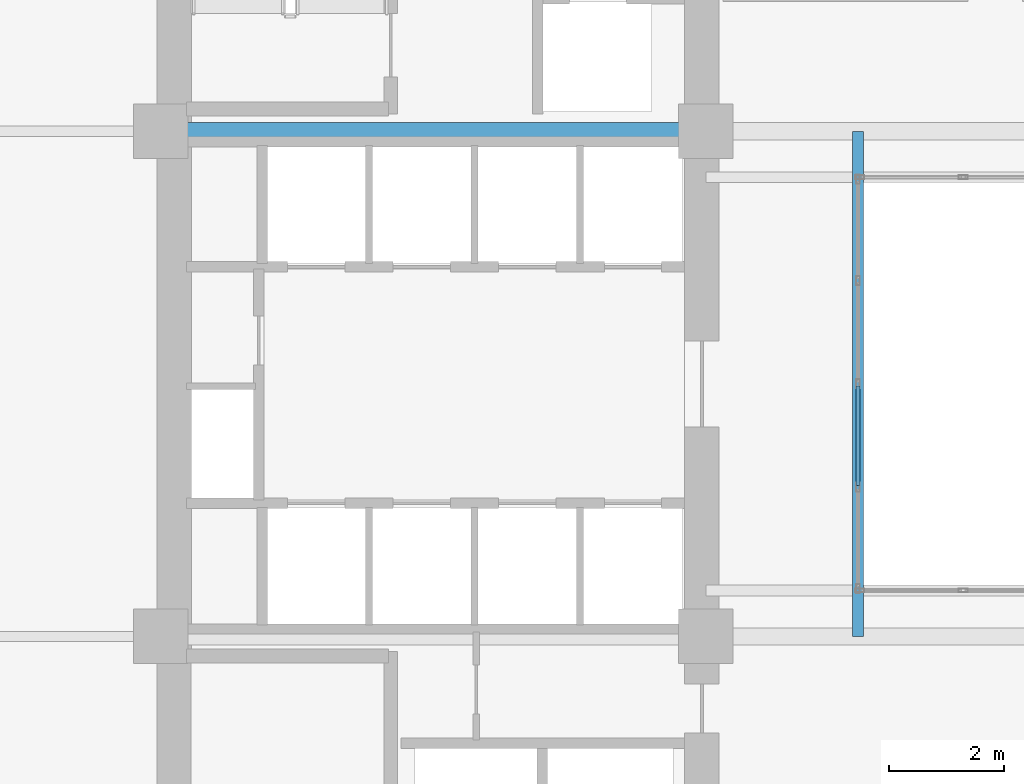
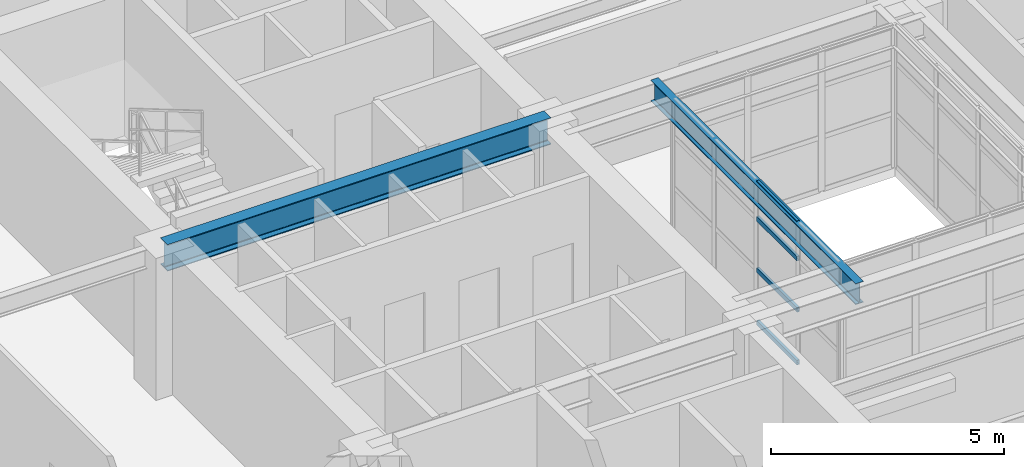
# One storey, part 3 of 17: 4 members, 2 beams, 1 element without a shape of its own.
"""IFC4 building model written with IfcOpenShell, lengths in metres."""

from ifc_helpers import new_model, si_unit, direction, frame, origin, origin_2d, place, context, subcontext, project, spatial, hollow_rectangle, i_section, extrude, material, layer, layer_set, material_profile, profile_set, type_object, element, aggregate, save


model = new_model("IFC4")

# Units and contexts
model_context = context("Model", 3, precision=1e-05, world=origin(), true_north=direction((0.0, 1.0)))
body_context = subcontext(model_context, "Body", "Model", "MODEL_VIEW")
ifc_project = project(units=[si_unit("LENGTHUNIT", "METRE"), si_unit("AREAUNIT", "SQUARE_METRE"), si_unit("VOLUMEUNIT", "CUBIC_METRE"), si_unit("PLANEANGLEUNIT", "RADIAN"), si_unit("MASSUNIT", "GRAM", prefix="KILO")], contexts=[model_context])

# Site, building, storey
site_placement = place(None, origin())
site = spatial("IfcSite", under=ifc_project, at=site_placement, CompositionType="ELEMENT")
building_placement = place(site_placement, origin())
building = spatial("IfcBuilding", under=site, at=building_placement, Name="Kundavana Baori Tower", CompositionType="ELEMENT")
storey_placement = place(building_placement, frame((0.0, 0.0, 26.0)))
storey = spatial("IfcBuildingStorey", under=building, at=storey_placement, Name="L05", CompositionType="ELEMENT", Elevation=26.0)

# Beams
ifc_material_1 = material(Name="Structural Steel S355JR", Category="steel")
ifc_material_profile_1 = material_profile(ifc_material_1, i_section(OverallWidth=0.18994140625, OverallDepth=0.550048828125, WebThickness=0.01123046875, FlangeThickness=0.019287109375, FilletRadius=0.01806640625, at=origin_2d()), Name="ISMB 550")
ifc_profile_set_1 = profile_set([ifc_material_profile_1], Name="Structural Steel S355JR")
beam_type_1 = type_object("IfcBeamType", Name="BM-ST-550", PredefinedType="BEAM", material=ifc_profile_set_1)
beam_1_placement = place(storey_placement, frame((27.60009765625, 24.199951171875, 3.445068359375), z_axis=(0.0, 1.0, 0.0), x_axis=(-1.0, 0.0, 0.0)))
element("IfcBeam", 1, at=beam_1_placement, inside=storey, type_object=beam_type_1, Name="L05 Atrium West Edge Beam", PredefinedType="BEAM", context=body_context, shape_type="SweptSolid", body=[
    extrude(i_section(OverallWidth=0.18994140625, OverallDepth=0.550048828125, WebThickness=0.01123046875, FlangeThickness=0.019287109375, FilletRadius=0.01806640625, at=origin_2d()), origin(), (0.0, 0.0, 1.0), 8.800048828125),
])
ifc_material_2 = material(Name="Structural Steel S355JR", Category="steel")
ifc_material_profile_2 = material_profile(ifc_material_2, i_section(OverallWidth=0.300048828125, OverallDepth=0.699951171875, WebThickness=0.014404296875, FlangeThickness=0.02392578125, FilletRadius=0.02392578125, at=origin_2d()), Name="NPB 700x300x170")
ifc_profile_set_2 = profile_set([ifc_material_profile_2], Name="Structural Steel S355JR")
beam_type_2 = type_object("IfcBeamType", Name="BM-ST-700", PredefinedType="BEAM", material=ifc_profile_set_2)
beam_2_placement = place(storey_placement, frame((15.449951171875, 33.0, 3.3701171875), z_axis=(1.0, 0.0, 0.0), x_axis=(0.0, 1.0, 0.0)))
element("IfcBeam", 2, at=beam_2_placement, inside=storey, type_object=beam_type_2, Name="L05 Primary Grid Girder GX-3-1", PredefinedType="BEAM", context=body_context, shape_type="SweptSolid", body=[
    extrude(i_section(OverallWidth=0.300048828125, OverallDepth=0.699951171875, WebThickness=0.014404296875, FlangeThickness=0.02392578125, FilletRadius=0.02392578125, at=origin_2d()), origin(), (0.0, 0.0, 1.0), 9.5),
])

# Curtain wall, members
ifc_material_3 = material(Name="Thermally Broken Anodised Aluminium Framing", Category="aluminium")
ifc_layer = layer(ifc_material_3, 0.18994140625, Name="CW-SYS-3")
ifc_layer_set = layer_set([ifc_layer], Name="Thermally Broken Anodised Aluminium Framing")
curtain_wall_type = type_object("IfcCurtainWallType", Name="CW-SYS-3", PredefinedType="NOTDEFINED", material=ifc_layer_set)
curtain_wall_placement = place(storey_placement, origin())
curtain_wall = element("IfcCurtainWall", 3, at=curtain_wall_placement, inside=storey, type_object=curtain_wall_type, Name="L05 Atrium Glazed Curtain Wall W", PredefinedType="NOTDEFINED")
ifc_material_4 = material(Name="Thermally Broken Anodised Aluminium Framing", Category="aluminium")
ifc_material_profile_3 = material_profile(ifc_material_4, hollow_rectangle(XDim=0.06494140625, YDim=0.1201171875, WallThickness=0.00390625, at=origin_2d()), Name="CW-TRAN-120")
ifc_profile_set_3 = profile_set([ifc_material_profile_3], Name="Thermally Broken Anodised Aluminium Framing")
member_type = type_object("IfcMemberType", Name="CW-TRAN-120", PredefinedType="USERDEFINED", material=ifc_profile_set_3)
member_1_placement = place(storey_placement, frame((27.60009765625, 28.5673828125, 0.032470703125), z_axis=(0.0, -1.0, 0.0), x_axis=(1.0, 0.0, 0.0)))
member_1 = element("IfcMember", 4, at=member_1_placement, type_object=member_type, Name="CW3 transom 3.1", ObjectType="TRANSOM", PredefinedType="USERDEFINED", context=body_context, shape_type="SweptSolid", body=[
    extrude(hollow_rectangle(XDim=0.06494140625, YDim=0.1201171875, WallThickness=0.00390625, at=origin_2d()), origin(), (0.0, 0.0, 1.0), 1.73486328125),
])
member_2_placement = place(storey_placement, frame((27.60009765625, 28.5673828125, 1.41357421875), z_axis=(0.0, -1.0, 0.0), x_axis=(1.0, 0.0, 0.0)))
member_2 = element("IfcMember", 5, at=member_2_placement, type_object=member_type, Name="CW3 transom 3.2", ObjectType="TRANSOM", PredefinedType="USERDEFINED", context=body_context, shape_type="SweptSolid", body=[
    extrude(hollow_rectangle(XDim=0.06494140625, YDim=0.1201171875, WallThickness=0.00390625, at=origin_2d()), origin(), (0.0, 0.0, 1.0), 1.73486328125),
])
member_3_placement = place(storey_placement, frame((27.60009765625, 28.5673828125, 2.752685546875), z_axis=(0.0, -1.0, 0.0), x_axis=(1.0, 0.0, 0.0)))
member_3 = element("IfcMember", 6, at=member_3_placement, type_object=member_type, Name="CW3 transom 3.3", ObjectType="TRANSOM", PredefinedType="USERDEFINED", context=body_context, shape_type="SweptSolid", body=[
    extrude(hollow_rectangle(XDim=0.06494140625, YDim=0.1201171875, WallThickness=0.00390625, at=origin_2d()), origin(), (0.0, 0.0, 1.0), 1.73486328125),
])
member_4_placement = place(storey_placement, frame((27.60009765625, 28.5673828125, 3.6875), z_axis=(0.0, -1.0, 0.0), x_axis=(1.0, 0.0, 0.0)))
member_4 = element("IfcMember", 7, at=member_4_placement, type_object=member_type, Name="CW3 transom 3.4", ObjectType="TRANSOM", PredefinedType="USERDEFINED", context=body_context, shape_type="SweptSolid", body=[
    extrude(hollow_rectangle(XDim=0.06494140625, YDim=0.1201171875, WallThickness=0.00390625, at=origin_2d()), origin(), (0.0, 0.0, 1.0), 1.73486328125),
])
aggregate(curtain_wall, [member_1, member_2, member_3, member_4])

save(model, "model.ifc")
